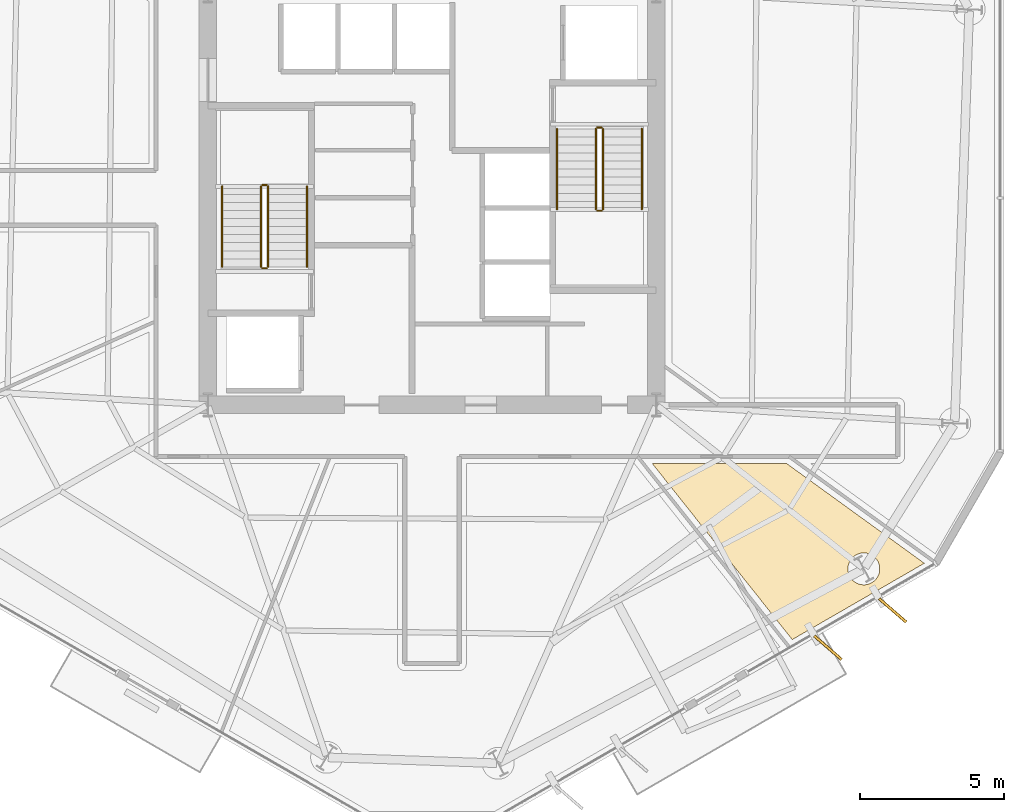
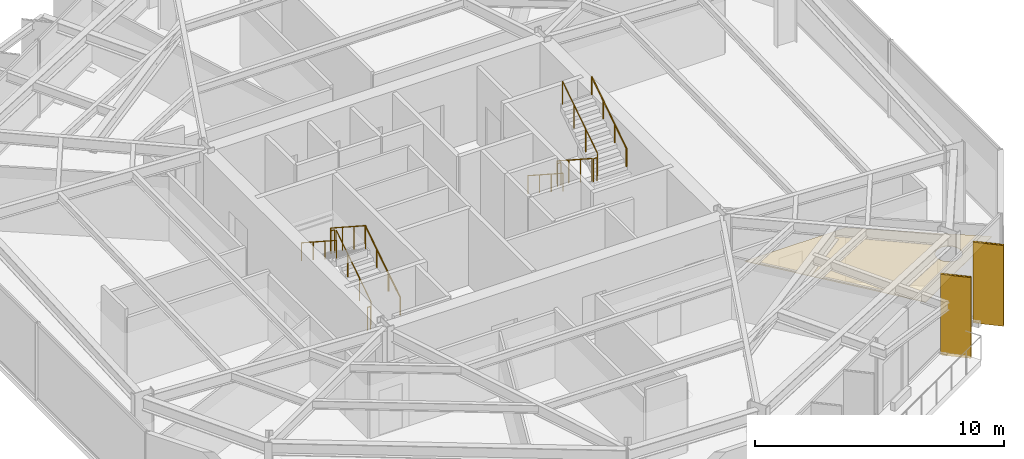
# One storey, part 10 of 11: 12 railings, 3 coverings, 2 shading devices.
"""IFC4 building model written with IfcOpenShell, lengths in metres."""

from ifc_helpers import new_model, si_unit, direction, frame, origin, origin_2d, place, context, subcontext, project, spatial, polyline, rectangle, circle, outline, extrude, material, layer, layer_set, type_object, element, save


model = new_model("IFC4")

# Units and contexts
model_context = context("Model", 3, precision=1e-05, world=origin(), true_north=direction((0.0, 1.0)))
body_context = subcontext(model_context, "Body", "Model", "MODEL_VIEW")
ifc_project = project(units=[si_unit("LENGTHUNIT", "METRE"), si_unit("AREAUNIT", "SQUARE_METRE"), si_unit("VOLUMEUNIT", "CUBIC_METRE"), si_unit("PLANEANGLEUNIT", "RADIAN"), si_unit("MASSUNIT", "GRAM", prefix="KILO")], contexts=[model_context])

# Site, building, storey
site_placement = place(None, origin())
site = spatial("IfcSite", under=ifc_project, at=site_placement, CompositionType="ELEMENT")
building_placement = place(site_placement, origin())
building = spatial("IfcBuilding", under=site, at=building_placement, Name="Kranzbogen Civic Tower", CompositionType="ELEMENT")
storey_placement = place(building_placement, frame((0.0, 0.0, 142.39990234375)))
storey = spatial("IfcBuildingStorey", under=building, at=storey_placement, Name="L34", CompositionType="ELEMENT", Elevation=142.39990234375)

# Coverings
ifc_material_1 = material(Name="Pale Anodised Aluminium", Category="aluminium")
ifc_layer_1 = layer(ifc_material_1, 0.02490234375, Name="Pale Anodised Aluminium")
ifc_layer_set_1 = layer_set([ifc_layer_1], Name="Pale Anodised Aluminium")
covering_type_1 = type_object("IfcCoveringType", Name="Anodised Aluminium Vertical Fin Cladding 25 mm", PredefinedType="CLADDING", material=ifc_layer_set_1)
for number, where, z_axis, x_axis, name in (
    (1, (38.77490234375, 9.35009765625, -0.139892578125), (0.0, 0.0, 1.0), (0.755487675046, -0.655162859794, 0.0), "L34 vertical fin pale-metal cladding F5-5"),
    (2, (41.02587890625, 10.64990234375, -0.139892578125), (0.0, 0.0, 1.0), (0.755487675046, -0.655162859794, 0.0), "L34 vertical fin pale-metal cladding F5-6"),
):
    element("IfcCovering", number, at=place(storey_placement, frame(where, z_axis=z_axis, x_axis=x_axis)), inside=storey, type_object=covering_type_1, Name=name, PredefinedType="CLADDING", context=body_context, shape_type="SweptSolid", body=[
        extrude(rectangle(XDim=1.25, YDim=0.10009765625, at=origin_2d()), origin(), (0.0, 0.0, 1.0), 3.9599609375),
    ])

# Shading devices
ifc_material_2 = material(Name="Anodised Bronze Aluminium", Category="aluminium")
shading_device_type = type_object("IfcShadingDeviceType", Name="Anodised Bronze Vertical Facade Fin 1250x80", PredefinedType="USERDEFINED", material=ifc_material_2)
for number, where, z_axis, x_axis, name in (
    (3, (38.77490234375, 9.35009765625, -0.139892578125), (0.0, 0.0, 1.0), (0.755487675046, -0.655162859794, 0.0), "L34 vertical exterior shading fin F5-5"),
    (4, (41.02587890625, 10.64990234375, -0.139892578125), (0.0, 0.0, 1.0), (0.755487675046, -0.655162859794, 0.0), "L34 vertical exterior shading fin F5-6"),
):
    element("IfcShadingDevice", number, at=place(storey_placement, frame(where, z_axis=z_axis, x_axis=x_axis)), inside=storey, type_object=shading_device_type, Name=name, ObjectType="FIN", PredefinedType="USERDEFINED", context=body_context, shape_type="SweptSolid", body=[
        extrude(rectangle(XDim=1.25, YDim=0.080078125, at=origin_2d()), origin(), (0.0, 0.0, 1.0), 3.9599609375),
    ])

# Railings
ifc_material_3 = material(Name="Steel S355", Category="steel")
railing_type_1 = type_object("IfcRailingType", Name="Internal Stair and Void Steel Guardrail 1150", PredefinedType="GUARDRAIL", material=ifc_material_3)
railing_1_placement = place(storey_placement, frame((19.300048828125, 22.60009765625, 0.181884765625)))
element("IfcRailing", 5, at=railing_1_placement, inside=storey, type_object=railing_type_1, Name="L34 ST-T1 stair guard 1", PredefinedType="GUARDRAIL", context=body_context, shape_type="SweptSolid", body=[
    extrude(circle(Radius=0.02392578125, at=origin_2d()), frame((0.0, 0.0, 1.1259765625), z_axis=(0.0, 0.83868413941, 0.544618136222), x_axis=(-1.0, 0.0, 0.0)), (0.0, 0.0, 1.0), 3.33837890625),
    extrude(circle(Radius=0.02099609375, at=origin_2d()), origin(), (0.0, 0.0, 1.0), 1.101806640625),
    extrude(circle(Radius=0.02099609375, at=origin_2d()), frame((0.0, 0.933349609375, 0.60595703125)), (0.0, 0.0, 1.0), 1.101806640625),
    extrude(circle(Radius=0.02099609375, at=origin_2d()), frame((0.0, 1.866455078125, 1.212158203125)), (0.0, 0.0, 1.0), 1.101806640625),
    extrude(circle(Radius=0.02099609375, at=origin_2d()), frame((0.0, 2.7998046875, 1.818115234375)), (0.0, 0.0, 1.0), 1.101806640625),
])
railing_2_placement = place(storey_placement, frame((19.25, 25.449951171875, 2.0)))
element("IfcRailing", 6, at=railing_2_placement, inside=storey, type_object=railing_type_1, Name="L34 ST-T1 stair guard 2", PredefinedType="GUARDRAIL", context=body_context, shape_type="SweptSolid", body=[
    extrude(circle(Radius=0.02392578125, at=origin_2d()), frame((0.0, 0.0, 1.1259765625), z_axis=(-1.0, 0.0, 0.0), x_axis=(0.0, -1.0, 0.0)), (0.0, 0.0, 1.0), 0.14990234375),
    extrude(circle(Radius=0.02099609375, at=origin_2d()), origin(), (0.0, 0.0, 1.0), 1.101806640625),
    extrude(circle(Radius=0.02099609375, at=origin_2d()), frame((-0.14990234375, 0.0, 0.0)), (0.0, 0.0, 1.0), 1.101806640625),
])
railing_3_placement = place(storey_placement, frame((19.050048828125, 25.39990234375, 2.181884765625)))
element("IfcRailing", 7, at=railing_3_placement, inside=storey, type_object=railing_type_1, Name="L34 ST-T1 stair guard 3", PredefinedType="GUARDRAIL", context=body_context, shape_type="SweptSolid", body=[
    extrude(circle(Radius=0.02392578125, at=origin_2d()), frame((0.0, 0.0, 1.1259765625), z_axis=(0.0, -0.83868413941, 0.544618136222), x_axis=(1.0, 0.0, 0.0)), (0.0, 0.0, 1.0), 3.33837890625),
    extrude(circle(Radius=0.02099609375, at=origin_2d()), origin(), (0.0, 0.0, 1.0), 1.101806640625),
    extrude(circle(Radius=0.02099609375, at=origin_2d()), frame((0.0, -0.933349609375, 0.60595703125)), (0.0, 0.0, 1.0), 1.101806640625),
    extrude(circle(Radius=0.02099609375, at=origin_2d()), frame((0.0, -1.866455078125, 1.212158203125)), (0.0, 0.0, 1.0), 1.101806640625),
    extrude(circle(Radius=0.02099609375, at=origin_2d()), frame((0.0, -2.7998046875, 1.818115234375)), (0.0, 0.0, 1.0), 1.101806640625),
])
railing_4_placement = place(storey_placement, frame((19.25, 22.550048828125, 0.0)))
element("IfcRailing", 8, at=railing_4_placement, inside=storey, type_object=railing_type_1, Name="L34 ST-T1 stair guard 4", PredefinedType="GUARDRAIL", context=body_context, shape_type="SweptSolid", body=[
    extrude(circle(Radius=0.02392578125, at=origin_2d()), frame((0.0, 0.0, 1.1259765625), z_axis=(-1.0, 0.0, 0.0), x_axis=(0.0, -1.0, 0.0)), (0.0, 0.0, 1.0), 0.14990234375),
    extrude(circle(Radius=0.02099609375, at=origin_2d()), origin(), (0.0, 0.0, 1.0), 1.101806640625),
    extrude(circle(Radius=0.02099609375, at=origin_2d()), frame((-0.14990234375, 0.0, 0.0)), (0.0, 0.0, 1.0), 1.101806640625),
])
railing_5_placement = place(storey_placement, frame((30.699951171875, 27.39990234375, 0.181884765625)))
element("IfcRailing", 9, at=railing_5_placement, inside=storey, type_object=railing_type_1, Name="L34 ST-T2 stair guard 1", PredefinedType="GUARDRAIL", context=body_context, shape_type="SweptSolid", body=[
    extrude(circle(Radius=0.02392578125, at=origin_2d()), frame((0.0, 0.0, 1.1259765625), z_axis=(0.0, -0.83868413941, 0.544618136222), x_axis=(1.0, 0.0, 0.0)), (0.0, 0.0, 1.0), 3.33837890625),
    extrude(circle(Radius=0.02099609375, at=origin_2d()), origin(), (0.0, 0.0, 1.0), 1.101806640625),
    extrude(circle(Radius=0.02099609375, at=origin_2d()), frame((0.0, -0.933349609375, 0.60595703125)), (0.0, 0.0, 1.0), 1.101806640625),
    extrude(circle(Radius=0.02099609375, at=origin_2d()), frame((0.0, -1.866455078125, 1.212158203125)), (0.0, 0.0, 1.0), 1.101806640625),
    extrude(circle(Radius=0.02099609375, at=origin_2d()), frame((0.0, -2.7998046875, 1.818115234375)), (0.0, 0.0, 1.0), 1.101806640625),
])
railing_6_placement = place(storey_placement, frame((30.75, 24.550048828125, 2.0)))
element("IfcRailing", 10, at=railing_6_placement, inside=storey, type_object=railing_type_1, Name="L34 ST-T2 stair guard 2", PredefinedType="GUARDRAIL", context=body_context, shape_type="SweptSolid", body=[
    extrude(circle(Radius=0.02392578125, at=origin_2d()), frame((0.0, 0.0, 1.1259765625), z_axis=(1.0, 0.0, 0.0), x_axis=(0.0, 1.0, 0.0)), (0.0, 0.0, 1.0), 0.14990234375),
    extrude(circle(Radius=0.02099609375, at=origin_2d()), origin(), (0.0, 0.0, 1.0), 1.101806640625),
    extrude(circle(Radius=0.02099609375, at=origin_2d()), frame((0.14990234375, 0.0, 0.0)), (0.0, 0.0, 1.0), 1.101806640625),
])
railing_7_placement = place(storey_placement, frame((30.949951171875, 24.60009765625, 2.181884765625)))
element("IfcRailing", 11, at=railing_7_placement, inside=storey, type_object=railing_type_1, Name="L34 ST-T2 stair guard 3", PredefinedType="GUARDRAIL", context=body_context, shape_type="SweptSolid", body=[
    extrude(circle(Radius=0.02392578125, at=origin_2d()), frame((0.0, 0.0, 1.1259765625), z_axis=(0.0, 0.83868413941, 0.544618136222), x_axis=(-1.0, 0.0, 0.0)), (0.0, 0.0, 1.0), 3.33837890625),
    extrude(circle(Radius=0.02099609375, at=origin_2d()), origin(), (0.0, 0.0, 1.0), 1.101806640625),
    extrude(circle(Radius=0.02099609375, at=origin_2d()), frame((0.0, 0.933349609375, 0.60595703125)), (0.0, 0.0, 1.0), 1.101806640625),
    extrude(circle(Radius=0.02099609375, at=origin_2d()), frame((0.0, 1.866455078125, 1.212158203125)), (0.0, 0.0, 1.0), 1.101806640625),
    extrude(circle(Radius=0.02099609375, at=origin_2d()), frame((0.0, 2.7998046875, 1.818115234375)), (0.0, 0.0, 1.0), 1.101806640625),
])
railing_8_placement = place(storey_placement, frame((30.75, 27.449951171875, 0.0)))
element("IfcRailing", 12, at=railing_8_placement, inside=storey, type_object=railing_type_1, Name="L34 ST-T2 stair guard 4", PredefinedType="GUARDRAIL", context=body_context, shape_type="SweptSolid", body=[
    extrude(circle(Radius=0.02392578125, at=origin_2d()), frame((0.0, 0.0, 1.1259765625), z_axis=(1.0, 0.0, 0.0), x_axis=(0.0, 1.0, 0.0)), (0.0, 0.0, 1.0), 0.14990234375),
    extrude(circle(Radius=0.02099609375, at=origin_2d()), origin(), (0.0, 0.0, 1.0), 1.101806640625),
    extrude(circle(Radius=0.02099609375, at=origin_2d()), frame((0.14990234375, 0.0, 0.0)), (0.0, 0.0, 1.0), 1.101806640625),
])

# Covering
ifc_material_4 = material(Name="Perforated Acoustic Gypsum Ceiling")
ifc_layer_2 = layer(ifc_material_4, 0.02490234375, Name="Perforated Acoustic Gypsum Ceiling")
ifc_layer_set_2 = layer_set([ifc_layer_2], Name="Perforated Acoustic Gypsum Ceiling")
covering_type_2 = type_object("IfcCoveringType", Name="Perforated Acoustic Mineral Ceiling Tile 25 mm", PredefinedType="CEILING", material=ifc_layer_set_2)
covering_placement = place(storey_placement, frame((0.0, 0.0, 2.75)))
element("IfcCovering", 13, at=covering_placement, inside=storey, type_object=covering_type_2, Name="L34 Policy Seminar Room acoustic ceiling", PredefinedType="CEILING", context=body_context, shape_type="SweptSolid", body=[
    extrude(outline(polyline([(32.6640625, 15.7548828125), (37.342041015625, 15.7548828125), (42.12890625, 12.287109375), (37.531982421875, 9.632080078125), (32.6640625, 15.7548828125)]), holes=[polyline([(40.534912109375, 11.8798828125), (40.511962890625, 11.8310546875), (40.48388671875, 11.783935546875), (40.451904296875, 11.739990234375), (40.4150390625, 11.699951171875), (40.375, 11.6630859375), (40.3310546875, 11.631103515625), (40.283935546875, 11.60302734375), (40.235107421875, 11.580078125), (40.18408203125, 11.56201171875), (40.131103515625, 11.548095703125), (40.076904296875, 11.5400390625), (40.02294921875, 11.5380859375), (39.968994140625, 11.5400390625), (39.9150390625, 11.548095703125), (39.862060546875, 11.56201171875), (39.81103515625, 11.580078125), (39.761962890625, 11.60302734375), (39.715087890625, 11.631103515625), (39.6708984375, 11.6630859375), (39.631103515625, 11.699951171875), (39.593994140625, 11.739990234375), (39.56201171875, 11.783935546875), (39.533935546875, 11.8310546875), (39.510986328125, 11.8798828125), (39.492919921875, 11.930908203125), (39.47900390625, 11.98388671875), (39.470947265625, 12.0380859375), (39.468994140625, 12.092041015625), (39.470947265625, 12.14599609375), (39.47900390625, 12.199951171875), (39.492919921875, 12.2529296875), (39.510986328125, 12.303955078125), (39.533935546875, 12.35302734375), (39.56201171875, 12.39990234375), (39.593994140625, 12.444091796875), (39.631103515625, 12.48388671875), (39.6708984375, 12.52099609375), (39.715087890625, 12.552978515625), (39.761962890625, 12.5810546875), (39.81103515625, 12.60400390625), (39.862060546875, 12.6220703125), (39.9150390625, 12.635986328125), (39.968994140625, 12.64404296875), (40.02294921875, 12.64599609375), (40.076904296875, 12.64404296875), (40.131103515625, 12.635986328125), (40.18408203125, 12.6220703125), (40.235107421875, 12.60400390625), (40.283935546875, 12.5810546875), (40.3310546875, 12.552978515625), (40.375, 12.52099609375), (40.4150390625, 12.48388671875), (40.451904296875, 12.444091796875), (40.48388671875, 12.39990234375), (40.511962890625, 12.35302734375), (40.534912109375, 12.303955078125), (40.552978515625, 12.2529296875), (40.56689453125, 12.199951171875), (40.574951171875, 12.14599609375), (40.576904296875, 12.092041015625), (40.574951171875, 12.0380859375), (40.56689453125, 11.98388671875), (40.552978515625, 11.930908203125), (40.534912109375, 11.8798828125)])]), origin(), (0.0, 0.0, 1.0), 0.025146484375),
])

# Railings
railing_type_2 = type_object("IfcRailingType", Name="Tubular Stainless Stair Wall Handrail 900", PredefinedType="HANDRAIL", material=ifc_material_1)
railing_9_placement = place(storey_placement, frame((20.64990234375, 22.60009765625, 0.181884765625)))
element("IfcRailing", 14, at=railing_9_placement, inside=storey, type_object=railing_type_2, Name="L34 ST-T1 stair handrail 1", PredefinedType="HANDRAIL", context=body_context, shape_type="SweptSolid", body=[
    extrude(circle(Radius=0.02392578125, at=origin_2d()), frame((0.0, 0.0, 0.8759765625), z_axis=(0.0, 0.83868413941, 0.544618136222), x_axis=(-1.0, 0.0, 0.0)), (0.0, 0.0, 1.0), 3.33837890625),
    extrude(circle(Radius=0.02099609375, at=origin_2d()), origin(), (0.0, 0.0, 1.0), 0.851806640625),
    extrude(circle(Radius=0.02099609375, at=origin_2d()), frame((0.0, 0.933349609375, 0.60595703125)), (0.0, 0.0, 1.0), 0.851806640625),
    extrude(circle(Radius=0.02099609375, at=origin_2d()), frame((0.0, 1.866455078125, 1.212158203125)), (0.0, 0.0, 1.0), 0.851806640625),
    extrude(circle(Radius=0.02099609375, at=origin_2d()), frame((0.0, 2.7998046875, 1.818115234375)), (0.0, 0.0, 1.0), 0.851806640625),
])
for number, where, name in (
    (15, (17.699951171875, 25.39990234375, 2.181884765625), "L34 ST-T1 stair handrail 2"),
    (16, (29.35009765625, 27.39990234375, 0.181884765625), "L34 ST-T2 stair handrail 1"),
):
    element("IfcRailing", number, at=place(storey_placement, frame(where)), inside=storey, type_object=railing_type_2, Name=name, PredefinedType="HANDRAIL", context=body_context, shape_type="SweptSolid", body=[
        extrude(circle(Radius=0.02392578125, at=origin_2d()), frame((0.0, 0.0, 0.8759765625), z_axis=(0.0, -0.83868413941, 0.544618136222), x_axis=(1.0, 0.0, 0.0)), (0.0, 0.0, 1.0), 3.33837890625),
        extrude(circle(Radius=0.02099609375, at=origin_2d()), origin(), (0.0, 0.0, 1.0), 0.851806640625),
        extrude(circle(Radius=0.02099609375, at=origin_2d()), frame((0.0, -0.933349609375, 0.60595703125)), (0.0, 0.0, 1.0), 0.851806640625),
        extrude(circle(Radius=0.02099609375, at=origin_2d()), frame((0.0, -1.866455078125, 1.212158203125)), (0.0, 0.0, 1.0), 0.851806640625),
        extrude(circle(Radius=0.02099609375, at=origin_2d()), frame((0.0, -2.7998046875, 1.818115234375)), (0.0, 0.0, 1.0), 0.851806640625),
    ])
railing_10_placement = place(storey_placement, frame((32.300048828125, 24.60009765625, 2.181884765625)))
element("IfcRailing", 17, at=railing_10_placement, inside=storey, type_object=railing_type_2, Name="L34 ST-T2 stair handrail 2", PredefinedType="HANDRAIL", context=body_context, shape_type="SweptSolid", body=[
    extrude(circle(Radius=0.02392578125, at=origin_2d()), frame((0.0, 0.0, 0.8759765625), z_axis=(0.0, 0.83868413941, 0.544618136222), x_axis=(-1.0, 0.0, 0.0)), (0.0, 0.0, 1.0), 3.33837890625),
    extrude(circle(Radius=0.02099609375, at=origin_2d()), origin(), (0.0, 0.0, 1.0), 0.851806640625),
    extrude(circle(Radius=0.02099609375, at=origin_2d()), frame((0.0, 0.933349609375, 0.60595703125)), (0.0, 0.0, 1.0), 0.851806640625),
    extrude(circle(Radius=0.02099609375, at=origin_2d()), frame((0.0, 1.866455078125, 1.212158203125)), (0.0, 0.0, 1.0), 0.851806640625),
    extrude(circle(Radius=0.02099609375, at=origin_2d()), frame((0.0, 2.7998046875, 1.818115234375)), (0.0, 0.0, 1.0), 0.851806640625),
])

save(model, "model.ifc")
